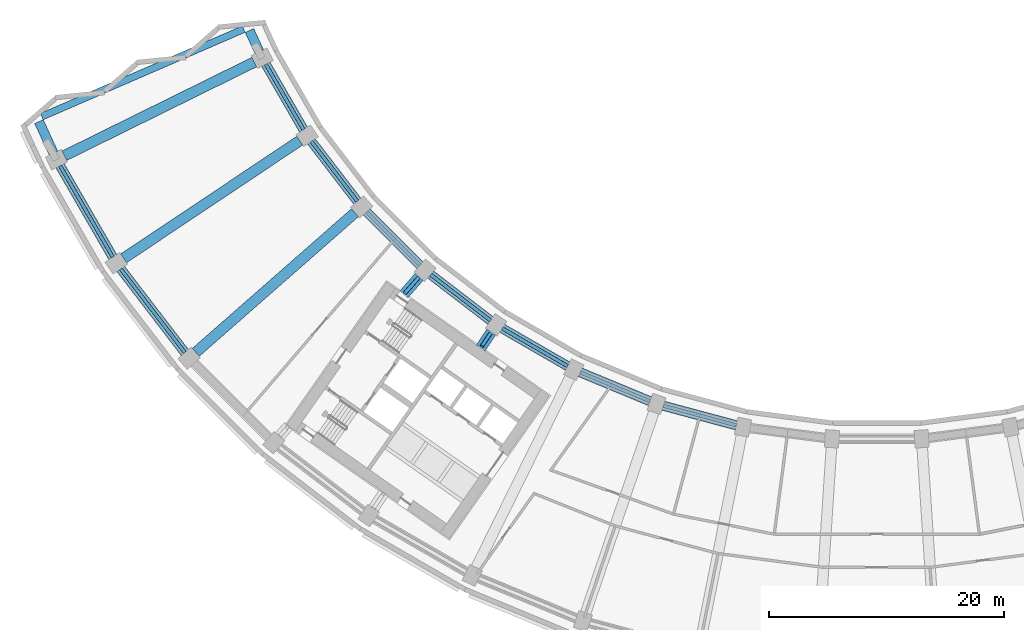
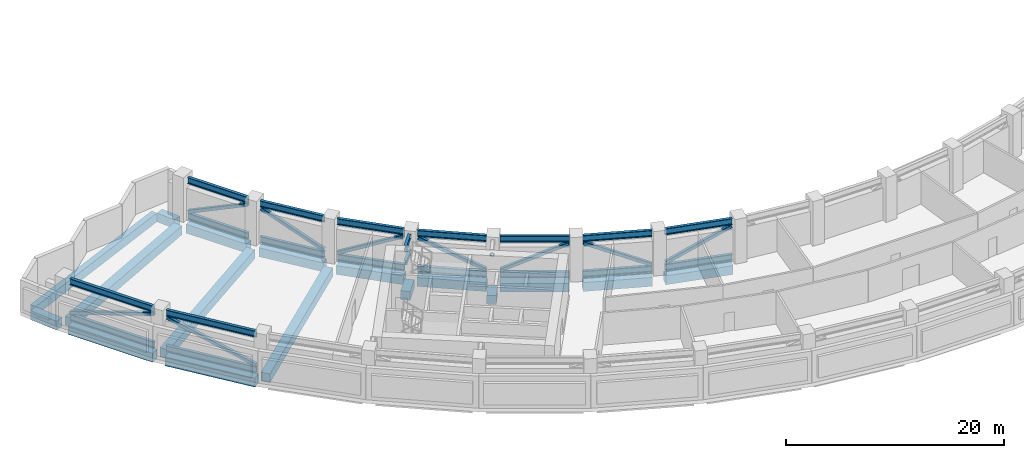
# One storey, part 2 of 25: 31 members, 17 beams.
"""IFC4 building model written with IfcOpenShell, lengths in metres."""

from ifc_helpers import new_model, si_unit, direction, frame, origin, origin_2d, place, context, subcontext, project, spatial, rectangle, hollow_rectangle, hollow_circle, i_section, extrude, material, material_profile, profile_set, type_object, element, save


model = new_model("IFC4")

# Units and contexts
model_context = context("Model", 3, precision=1e-05, world=origin(), true_north=direction((0.0, 1.0)))
body_context = subcontext(model_context, "Body", "Model", "MODEL_VIEW")
ifc_project = project(units=[si_unit("LENGTHUNIT", "METRE"), si_unit("AREAUNIT", "SQUARE_METRE"), si_unit("VOLUMEUNIT", "CUBIC_METRE"), si_unit("PLANEANGLEUNIT", "RADIAN"), si_unit("MASSUNIT", "GRAM", prefix="KILO")], contexts=[model_context])

# Site, building, storey
site_placement = place(None, origin())
site = spatial("IfcSite", under=ifc_project, at=site_placement, CompositionType="ELEMENT")
building_placement = place(site_placement, origin())
building = spatial("IfcBuilding", under=site, at=building_placement, Name="Qamariyya Broadcast Tower", CompositionType="ELEMENT")
storey_placement = place(building_placement, frame((0.0, 0.0, 144.300048828125)))
storey = spatial("IfcBuildingStorey", under=building, at=storey_placement, Name="L33", CompositionType="ELEMENT", Elevation=144.300048828125)

# Members
ifc_material_1 = material(Name="Steel S355", Category="steel")
ifc_material_profile_1 = material_profile(ifc_material_1, i_section(OverallWidth=0.300048828125, OverallDepth=0.699951171875, WebThickness=0.01708984375, FlangeThickness=0.031982421875, FilletRadius=0.027099609375, at=origin_2d()))
ifc_profile_set_1 = profile_set([ifc_material_profile_1], Name="Steel S355")
member_type_1 = type_object("IfcMemberType", Name="Belt truss bottom chord HEB 700", PredefinedType="CHORD", material=ifc_profile_set_1)
for number, where, z_axis, x_axis, name in (
    (1, (-51.942138671875, -26.283935546875, 0.349853515625), (0.49999360328, -0.866029096901, 0.0), (0.866029096901, 0.49999360328, 0.0), "Belt truss bottom chord T12 L33 B-R02"),
    (2, (-48.067138671875, -32.839111328125, 0.349853515625), (0.608778135192, -0.793340520906, 0.0), (0.793340520906, 0.608778135192, 0.0), "Belt truss bottom chord T12 L33 B-R03"),
):
    element("IfcMember", number, at=place(storey_placement, frame(where, z_axis=z_axis, x_axis=x_axis)), inside=storey, type_object=member_type_1, Name=name, PredefinedType="CHORD", context=body_context, shape_type="SweptSolid", body=[
        extrude(i_section(OverallWidth=0.300048828125, OverallDepth=0.699951171875, WebThickness=0.01708984375, FlangeThickness=0.031982421875, FilletRadius=0.027099609375, at=origin_2d()), origin(), (0.0, 0.0, 1.0), 6.4169921875),
    ])
member_1_placement = place(storey_placement, frame((-43.369384765625, -38.83203125, 0.349853515625), z_axis=(0.707106781187, -0.707106781187, 0.0), x_axis=(0.707106781187, 0.707106781187, 0.0)))
element("IfcMember", 3, at=member_1_placement, inside=storey, type_object=member_type_1, Name="Belt truss bottom chord T12 L33 B-R04", PredefinedType="CHORD", context=body_context, shape_type="SweptSolid", body=[
    extrude(i_section(OverallWidth=0.300048828125, OverallDepth=0.699951171875, WebThickness=0.01708984375, FlangeThickness=0.031982421875, FilletRadius=0.027099609375, at=origin_2d()), origin(), (0.0, 0.0, 1.0), 6.416748046875),
])
for number, where, z_axis, x_axis, name in (
    (4, (-37.929931640625, -44.16064453125, 0.349853515625), (0.793340520906, -0.608778135192, 0.0), (0.608778135192, 0.793340520906, 0.0), "Belt truss bottom chord T12 L33 B-R05"),
    (5, (-31.84130859375, -48.733642578125, 0.349853515625), (0.866029096901, -0.49999360328, 0.0), (0.49999360328, 0.866029096901, 0.0), "Belt truss bottom chord T12 L33 B-R06"),
    (6, (-25.207763671875, -52.472900390625, 0.349853515625), (0.923884212686, -0.382672133229, 0.0), (0.382672133229, 0.923884212686, 0.0), "Belt truss bottom chord T12 L33 B-R07"),
    (7, (-18.14306640625, -55.314208984375, 0.349853515625), (0.965922916603, -0.258829903956, 0.0), (0.258829903956, 0.965922916603, 0.0), "Belt truss bottom chord T12 L33 B-R08"),
):
    element("IfcMember", number, at=place(storey_placement, frame(where, z_axis=z_axis, x_axis=x_axis)), inside=storey, type_object=member_type_1, Name=name, PredefinedType="CHORD", context=body_context, shape_type="SweptSolid", body=[
        extrude(i_section(OverallWidth=0.300048828125, OverallDepth=0.699951171875, WebThickness=0.01708984375, FlangeThickness=0.031982421875, FilletRadius=0.027099609375, at=origin_2d()), origin(), (0.0, 0.0, 1.0), 6.4169921875),
    ])
member_2_placement = place(storey_placement, frame((-69.43115234375, -34.90869140625, 0.349853515625), z_axis=(0.499989544228, -0.866031440343, 0.0), x_axis=(0.866031440343, 0.499989544228, 0.0)))
element("IfcMember", 8, at=member_2_placement, inside=storey, type_object=member_type_1, Name="Belt truss bottom chord T12 L33 C-R02", PredefinedType="CHORD", context=body_context, shape_type="SweptSolid", body=[
    extrude(i_section(OverallWidth=0.300048828125, OverallDepth=0.699951171875, WebThickness=0.01708984375, FlangeThickness=0.031982421875, FilletRadius=0.027099609375, at=origin_2d()), origin(), (0.0, 0.0, 1.0), 8.967529296875),
])
member_3_placement = place(storey_placement, frame((-64.28076171875, -43.672607421875, 0.349853515625), z_axis=(0.608766985019, -0.793349076984, 0.0), x_axis=(0.793349076984, 0.608766985019, 0.0)))
element("IfcMember", 9, at=member_3_placement, inside=storey, type_object=member_type_1, Name="Belt truss bottom chord T12 L33 C-R03", PredefinedType="CHORD", context=body_context, shape_type="SweptSolid", body=[
    extrude(i_section(OverallWidth=0.300048828125, OverallDepth=0.699951171875, WebThickness=0.01708984375, FlangeThickness=0.031982421875, FilletRadius=0.027099609375, at=origin_2d()), origin(), (0.0, 0.0, 1.0), 8.9677734375),
])
ifc_material_profile_2 = material_profile(ifc_material_1, hollow_rectangle(XDim=0.35009765625, YDim=0.35009765625, WallThickness=0.01416015625, InnerFilletRadius=0.01416015625, OuterFilletRadius=0.0283203125, at=origin_2d()))
ifc_profile_set_2 = profile_set([ifc_material_profile_2], Name="Steel S355")
member_type_2 = type_object("IfcMemberType", Name="Belt truss diagonal RHS 350x350x14.2", PredefinedType="BRACE", material=ifc_profile_set_2)
for number, where, z_axis, x_axis, name in (
    (10, (-51.903564453125, -26.35107421875, 0.85791015625), (0.451365148286, -0.781803150411, 0.430178261793), (0.866029773987, 0.499992430511, 0.0), "Belt truss diagonal T13 L33 B-R02"),
    (11, (-48.02001953125, -32.900390625, 3.842041015625), (0.549554038522, -0.716197546201, -0.430176049495), (0.793355302324, 0.608758872029, 0.0), "Belt truss diagonal T13 L33 B-R03"),
    (12, (-43.31494140625, -38.88671875, 0.85791015625), (0.63833922066, -0.63833922066, 0.430169825457), (0.707106781187, 0.707106781187, 0.0), "Belt truss diagonal T13 L33 B-R04"),
    (13, (-37.86865234375, -44.207763671875, 3.842041015625), (0.716197546201, -0.549554038522, -0.430176049495), (0.608758872029, 0.793355302324, 0.0), "Belt truss diagonal T13 L33 B-R05"),
    (14, (-31.7744140625, -48.7724609375, 0.85791015625), (0.781803150411, -0.451365148286, 0.430178261793), (0.499992430511, 0.866029773987, 0.0), "Belt truss diagonal T13 L33 B-R06"),
    (15, (-25.136474609375, -52.50244140625, 3.842041015625), (0.834027860001, -0.345464489567, -0.430176493071), (0.382682334211, 0.923879987381, 0.0), "Belt truss diagonal T13 L33 B-R07"),
    (16, (-18.068359375, -55.334228515625, 0.85791015625), (0.871979197049, -0.233656356523, 0.430182504259), (0.258829623139, 0.965922991851, 0.0), "Belt truss diagonal T13 L33 B-R08"),
):
    element("IfcMember", number, at=place(storey_placement, frame(where, z_axis=z_axis, x_axis=x_axis)), inside=storey, type_object=member_type_2, Name=name, PredefinedType="BRACE", context=body_context, shape_type="SweptSolid", body=[
        extrude(hollow_rectangle(XDim=0.35009765625, YDim=0.35009765625, WallThickness=0.01416015625, InnerFilletRadius=0.01416015625, OuterFilletRadius=0.0283203125, at=origin_2d()), origin(), (0.0, 0.0, 1.0), 6.93701171875),
    ])
for number, where, z_axis, x_axis, name in (
    (17, (-69.40234375, -34.95849609375, 0.865966796875), (0.474045618469, -0.821114265054, 0.317886953705), (0.866036786182, 0.49998028459, 0.0), "Belt truss diagonal T13 L33 C-R02"),
    (18, (-64.24560546875, -43.71826171875, 3.833984375), (0.577172941316, -0.752210121091, -0.317885717736), (0.793362603486, 0.608749356789, 0.0), "Belt truss diagonal T13 L33 C-R03"),
):
    element("IfcMember", number, at=place(storey_placement, frame(where, z_axis=z_axis, x_axis=x_axis)), inside=storey, type_object=member_type_2, Name=name, PredefinedType="BRACE", context=body_context, shape_type="SweptSolid", body=[
        extrude(hollow_rectangle(XDim=0.35009765625, YDim=0.35009765625, WallThickness=0.01416015625, InnerFilletRadius=0.01416015625, OuterFilletRadius=0.0283203125, at=origin_2d()), origin(), (0.0, 0.0, 1.0), 9.336669921875),
    ])
ifc_material_profile_3 = material_profile(ifc_material_1, i_section(OverallWidth=0.300048828125, OverallDepth=0.699951171875, WebThickness=0.01708984375, FlangeThickness=0.031982421875, FilletRadius=0.027099609375, at=origin_2d()))
ifc_profile_set_3 = profile_set([ifc_material_profile_3], Name="Steel S355")
member_type_3 = type_object("IfcMemberType", Name="Belt truss top chord HEB 700", PredefinedType="CHORD", material=ifc_profile_set_3)
for number, where, z_axis, x_axis, name in (
    (19, (-51.942138671875, -26.283935546875, 4.349853515625), (0.49999360328, -0.866029096901, 0.0), (0.866029096901, 0.49999360328, 0.0), "Belt truss top chord T11 L33 B-R02"),
    (20, (-48.067138671875, -32.839111328125, 4.349853515625), (0.608778135192, -0.793340520906, 0.0), (0.793340520906, 0.608778135192, 0.0), "Belt truss top chord T11 L33 B-R03"),
):
    element("IfcMember", number, at=place(storey_placement, frame(where, z_axis=z_axis, x_axis=x_axis)), inside=storey, type_object=member_type_3, Name=name, PredefinedType="CHORD", context=body_context, shape_type="SweptSolid", body=[
        extrude(i_section(OverallWidth=0.300048828125, OverallDepth=0.699951171875, WebThickness=0.01708984375, FlangeThickness=0.031982421875, FilletRadius=0.027099609375, at=origin_2d()), origin(), (0.0, 0.0, 1.0), 6.4169921875),
    ])
member_4_placement = place(storey_placement, frame((-43.369384765625, -38.83203125, 4.349853515625), z_axis=(0.707106781187, -0.707106781187, 0.0), x_axis=(0.707106781187, 0.707106781187, 0.0)))
element("IfcMember", 21, at=member_4_placement, inside=storey, type_object=member_type_3, Name="Belt truss top chord T11 L33 B-R04", PredefinedType="CHORD", context=body_context, shape_type="SweptSolid", body=[
    extrude(i_section(OverallWidth=0.300048828125, OverallDepth=0.699951171875, WebThickness=0.01708984375, FlangeThickness=0.031982421875, FilletRadius=0.027099609375, at=origin_2d()), origin(), (0.0, 0.0, 1.0), 6.416748046875),
])
for number, where, z_axis, x_axis, name in (
    (22, (-37.929931640625, -44.16064453125, 4.349853515625), (0.793340520906, -0.608778135192, 0.0), (0.608778135192, 0.793340520906, 0.0), "Belt truss top chord T11 L33 B-R05"),
    (23, (-31.84130859375, -48.733642578125, 4.349853515625), (0.866029096901, -0.49999360328, 0.0), (0.49999360328, 0.866029096901, 0.0), "Belt truss top chord T11 L33 B-R06"),
    (24, (-25.207763671875, -52.472900390625, 4.349853515625), (0.923884212686, -0.382672133229, 0.0), (0.382672133229, 0.923884212686, 0.0), "Belt truss top chord T11 L33 B-R07"),
    (25, (-18.14306640625, -55.314208984375, 4.349853515625), (0.965922916603, -0.258829903956, 0.0), (0.258829903956, 0.965922916603, 0.0), "Belt truss top chord T11 L33 B-R08"),
):
    element("IfcMember", number, at=place(storey_placement, frame(where, z_axis=z_axis, x_axis=x_axis)), inside=storey, type_object=member_type_3, Name=name, PredefinedType="CHORD", context=body_context, shape_type="SweptSolid", body=[
        extrude(i_section(OverallWidth=0.300048828125, OverallDepth=0.699951171875, WebThickness=0.01708984375, FlangeThickness=0.031982421875, FilletRadius=0.027099609375, at=origin_2d()), origin(), (0.0, 0.0, 1.0), 6.4169921875),
    ])
member_5_placement = place(storey_placement, frame((-69.43115234375, -34.90869140625, 4.349853515625), z_axis=(0.499989544228, -0.866031440343, 0.0), x_axis=(0.866031440343, 0.499989544228, 0.0)))
element("IfcMember", 26, at=member_5_placement, inside=storey, type_object=member_type_3, Name="Belt truss top chord T11 L33 C-R02", PredefinedType="CHORD", context=body_context, shape_type="SweptSolid", body=[
    extrude(i_section(OverallWidth=0.300048828125, OverallDepth=0.699951171875, WebThickness=0.01708984375, FlangeThickness=0.031982421875, FilletRadius=0.027099609375, at=origin_2d()), origin(), (0.0, 0.0, 1.0), 8.967529296875),
])
member_6_placement = place(storey_placement, frame((-64.28076171875, -43.672607421875, 4.349853515625), z_axis=(0.608766985019, -0.793349076984, 0.0), x_axis=(0.793349076984, 0.608766985019, 0.0)))
element("IfcMember", 27, at=member_6_placement, inside=storey, type_object=member_type_3, Name="Belt truss top chord T11 L33 C-R03", PredefinedType="CHORD", context=body_context, shape_type="SweptSolid", body=[
    extrude(i_section(OverallWidth=0.300048828125, OverallDepth=0.699951171875, WebThickness=0.01708984375, FlangeThickness=0.031982421875, FilletRadius=0.027099609375, at=origin_2d()), origin(), (0.0, 0.0, 1.0), 8.9677734375),
])
ifc_material_profile_4 = material_profile(ifc_material_1, i_section(OverallWidth=0.300048828125, OverallDepth=0.489990234375, WebThickness=0.011962890625, FlangeThickness=0.02294921875, FilletRadius=0.027099609375, at=origin_2d()))
ifc_profile_set_4 = profile_set([ifc_material_profile_4], Name="Steel S355")
member_type_4 = type_object("IfcMemberType", Name="Outrigger truss bottom chord HEA 500", PredefinedType="CHORD", material=ifc_profile_set_4)
member_7_placement = place(storey_placement, frame((-38.91455078125, -44.37353515625, 2.744873046875), z_axis=(-0.659333197342, -0.751850872769, 0.0), x_axis=(0.751850872769, -0.659333197342, 0.0)))
element("IfcMember", 28, at=member_7_placement, inside=storey, type_object=member_type_4, Name="Outrigger truss bottom chord T9 L33 R05", PredefinedType="CHORD", context=body_context, shape_type="SweptSolid", body=[
    extrude(i_section(OverallWidth=0.300048828125, OverallDepth=0.489990234375, WebThickness=0.011962890625, FlangeThickness=0.02294921875, FilletRadius=0.027099609375, at=origin_2d()), origin(), (0.0, 0.0, 1.0), 1.897216796875),
])
ifc_material_profile_5 = material_profile(ifc_material_1, hollow_circle(Radius=0.161865234375, WallThickness=0.012451171875, at=origin_2d()))
ifc_profile_set_5 = profile_set([ifc_material_profile_5], Name="Steel S355")
member_type_5 = type_object("IfcMemberType", Name="Outrigger truss diagonal CHS 323.9x12.5", PredefinedType="BRACE", material=ifc_profile_set_5)
member_8_placement = place(storey_placement, frame((-38.966552734375, -44.4326171875, 3.132568359375), z_axis=(-0.580784538514, -0.662358872504, 0.473254734618), x_axis=(0.751889664657, -0.659288959549, 0.0)))
element("IfcMember", 29, at=member_8_placement, inside=storey, type_object=member_type_5, Name="Outrigger truss diagonal T17 L33 R05", PredefinedType="BRACE", context=body_context, shape_type="SweptSolid", body=[
    extrude(hollow_circle(Radius=0.161865234375, WallThickness=0.012451171875, at=origin_2d()), origin(), (0.0, 0.0, 1.0), 1.975341796875),
])
member_9_placement = place(storey_placement, frame((-32.842529296875, -49.15234375, 3.12255859375), z_axis=(-0.454606184712, -0.6803659971, 0.574835043132), x_axis=(0.831469522269, -0.555570367764, 0.0)))
element("IfcMember", 30, at=member_9_placement, inside=storey, type_object=member_type_5, Name="Outrigger truss diagonal T17 L33 R06", PredefinedType="BRACE", context=body_context, shape_type="SweptSolid", body=[
    extrude(hollow_circle(Radius=0.161865234375, WallThickness=0.012451171875, at=origin_2d()), origin(), (0.0, 0.0, 1.0), 1.6611328125),
])
ifc_material_profile_6 = material_profile(ifc_material_1, i_section(OverallWidth=0.300048828125, OverallDepth=0.489990234375, WebThickness=0.011962890625, FlangeThickness=0.02294921875, FilletRadius=0.027099609375, at=origin_2d()))
ifc_profile_set_6 = profile_set([ifc_material_profile_6], Name="Steel S355")
member_type_6 = type_object("IfcMemberType", Name="Outrigger truss top chord HEA 500", PredefinedType="CHORD", material=ifc_profile_set_6)
member_10_placement = place(storey_placement, frame((-38.91455078125, -44.37353515625, 4.454833984375), z_axis=(-0.659333197342, -0.751850872769, 0.0), x_axis=(0.751850872769, -0.659333197342, 0.0)))
element("IfcMember", 31, at=member_10_placement, inside=storey, type_object=member_type_6, Name="Outrigger truss top chord T8 L33 R05", PredefinedType="CHORD", context=body_context, shape_type="SweptSolid", body=[
    extrude(i_section(OverallWidth=0.300048828125, OverallDepth=0.489990234375, WebThickness=0.011962890625, FlangeThickness=0.02294921875, FilletRadius=0.027099609375, at=origin_2d()), origin(), (0.0, 0.0, 1.0), 1.897216796875),
])

# Beams
ifc_material_2 = material(Name="Concrete C50/60", Category="concrete")
ifc_material_profile_7 = material_profile(ifc_material_2, rectangle(XDim=0.800048828125, YDim=1.0, at=origin_2d()))
ifc_profile_set_7 = profile_set([ifc_material_profile_7], Name="Concrete C50/60")
beam_type_1 = type_object("IfcBeamType", Name="RC edge beam 800 x 1000 C50/60", PredefinedType="SPANDREL", material=ifc_profile_set_7)
for number, where, z_axis, x_axis, name in (
    (32, (-51.942138671875, -26.283935546875, -0.900146484375), (0.49999360328, -0.866029096901, 0.0), (0.866029096901, 0.49999360328, 0.0), "Edge beam B10 L33 B R02-R03"),
    (33, (-48.067138671875, -32.839111328125, -0.900146484375), (0.608778135192, -0.793340520906, 0.0), (0.793340520906, 0.608778135192, 0.0), "Edge beam B10 L33 B R03-R04"),
):
    element("IfcBeam", number, at=place(storey_placement, frame(where, z_axis=z_axis, x_axis=x_axis)), inside=storey, type_object=beam_type_1, Name=name, PredefinedType="SPANDREL", context=body_context, shape_type="SweptSolid", body=[
        extrude(rectangle(XDim=0.800048828125, YDim=1.0, at=origin_2d()), origin(), (0.0, 0.0, 1.0), 6.4169921875),
    ])
beam_1_placement = place(storey_placement, frame((-43.369384765625, -38.83203125, -0.900146484375), z_axis=(0.707106781187, -0.707106781187, 0.0), x_axis=(0.707106781187, 0.707106781187, 0.0)))
element("IfcBeam", 34, at=beam_1_placement, inside=storey, type_object=beam_type_1, Name="Edge beam B10 L33 B R04-R05", PredefinedType="SPANDREL", context=body_context, shape_type="SweptSolid", body=[
    extrude(rectangle(XDim=0.800048828125, YDim=1.0, at=origin_2d()), origin(), (0.0, 0.0, 1.0), 6.416748046875),
])
for number, where, z_axis, x_axis, name in (
    (35, (-37.929931640625, -44.16064453125, -0.900146484375), (0.793340520906, -0.608778135192, 0.0), (0.608778135192, 0.793340520906, 0.0), "Edge beam B10 L33 B R05-R06"),
    (36, (-31.84130859375, -48.733642578125, -0.900146484375), (0.866029096901, -0.49999360328, 0.0), (0.49999360328, 0.866029096901, 0.0), "Edge beam B10 L33 B R06-R07"),
    (37, (-25.207763671875, -52.472900390625, -0.900146484375), (0.923884212686, -0.382672133229, 0.0), (0.382672133229, 0.923884212686, 0.0), "Edge beam B10 L33 B R07-R08"),
    (38, (-18.14306640625, -55.314208984375, -0.900146484375), (0.965922916603, -0.258829903956, 0.0), (0.258829903956, 0.965922916603, 0.0), "Edge beam B10 L33 B R08-R09"),
):
    element("IfcBeam", number, at=place(storey_placement, frame(where, z_axis=z_axis, x_axis=x_axis)), inside=storey, type_object=beam_type_1, Name=name, PredefinedType="SPANDREL", context=body_context, shape_type="SweptSolid", body=[
        extrude(rectangle(XDim=0.800048828125, YDim=1.0, at=origin_2d()), origin(), (0.0, 0.0, 1.0), 6.4169921875),
    ])
beam_2_placement = place(storey_placement, frame((-69.43115234375, -34.90869140625, -0.900146484375), z_axis=(0.499989544228, -0.866031440343, 0.0), x_axis=(0.866031440343, 0.499989544228, 0.0)))
element("IfcBeam", 39, at=beam_2_placement, inside=storey, type_object=beam_type_1, Name="Edge beam B10 L33 C R02-R03", PredefinedType="SPANDREL", context=body_context, shape_type="SweptSolid", body=[
    extrude(rectangle(XDim=0.800048828125, YDim=1.0, at=origin_2d()), origin(), (0.0, 0.0, 1.0), 8.967529296875),
])
beam_3_placement = place(storey_placement, frame((-64.28076171875, -43.672607421875, -0.900146484375), z_axis=(0.608766985019, -0.793349076984, 0.0), x_axis=(0.793349076984, 0.608766985019, 0.0)))
element("IfcBeam", 40, at=beam_3_placement, inside=storey, type_object=beam_type_1, Name="Edge beam B10 L33 C R03-R04", PredefinedType="SPANDREL", context=body_context, shape_type="SweptSolid", body=[
    extrude(rectangle(XDim=0.800048828125, YDim=1.0, at=origin_2d()), origin(), (0.0, 0.0, 1.0), 8.9677734375),
])
ifc_material_profile_8 = material_profile(ifc_material_2, rectangle(XDim=0.800048828125, YDim=1.0, at=origin_2d()))
ifc_profile_set_8 = profile_set([ifc_material_profile_8], Name="Concrete C50/60")
beam_type_2 = type_object("IfcBeamType", Name="RC horn beam 800 x 1000 C50/60", PredefinedType="BEAM", material=ifc_profile_set_8)
beam_4_placement = place(storey_placement, frame((-52.494873046875, -25.218505859375, -0.900146484375), z_axis=(-0.419867209004, 0.907585547926, 0.0), x_axis=(-0.907585547926, -0.419867209004, 0.0)))
element("IfcBeam", 41, at=beam_4_placement, inside=storey, type_object=beam_type_2, Name="Horn beam B11 L33 W B-R02", PredefinedType="BEAM", context=body_context, shape_type="SweptSolid", body=[
    extrude(rectangle(XDim=0.800048828125, YDim=1.0, at=origin_2d()), origin(), (0.0, 0.0, 1.0), 1.98974609375),
])
beam_5_placement = place(storey_placement, frame((-69.98388671875, -33.84326171875, -0.900146484375), z_axis=(-0.41986421212, 0.907586934338, 0.0), x_axis=(-0.907586934338, -0.41986421212, 0.0)))
element("IfcBeam", 42, at=beam_5_placement, inside=storey, type_object=beam_type_2, Name="Horn beam B11 L33 W C-R02", PredefinedType="BEAM", context=body_context, shape_type="SweptSolid", body=[
    extrude(rectangle(XDim=0.800048828125, YDim=1.0, at=origin_2d()), origin(), (0.0, 0.0, 1.0), 2.957275390625),
])
ifc_material_profile_9 = material_profile(ifc_material_2, rectangle(XDim=0.60009765625, YDim=1.0, at=origin_2d()))
ifc_profile_set_9 = profile_set([ifc_material_profile_9], Name="Concrete C50/60")
beam_type_3 = type_object("IfcBeamType", Name="RC horn cap beam 600 x 1000 C50/60", PredefinedType="BEAM", material=ifc_profile_set_9)
beam_6_placement = place(storey_placement, frame((-53.823486328125, -23.29931640625, -0.900146484375), z_axis=(-0.917707341004, -0.397257141241, 0.0), x_axis=(0.397257141241, -0.917707341004, 0.0)))
element("IfcBeam", 43, at=beam_6_placement, inside=storey, type_object=beam_type_3, Name="Horn cap beam B12 L33 W B-C", PredefinedType="BEAM", context=body_context, shape_type="SweptSolid", body=[
    extrude(rectangle(XDim=0.60009765625, YDim=1.0, at=origin_2d()), origin(), (0.0, 0.0, 1.0), 18.699951171875),
])
ifc_material_profile_10 = material_profile(ifc_material_2, rectangle(XDim=0.89990234375, YDim=1.0, at=origin_2d()))
ifc_profile_set_10 = profile_set([ifc_material_profile_10], Name="Concrete C50/60")
beam_type_4 = type_object("IfcBeamType", Name="RC radial beam 900 x 1000 C50/60", PredefinedType="BEAM", material=ifc_profile_set_10)
beam_7_placement = place(storey_placement, frame((-52.91552734375, -26.094970703125, -0.900146484375), z_axis=(-0.896871386501, -0.442291437941, 0.0), x_axis=(0.442291437941, -0.896871386501, 0.0)))
element("IfcBeam", 44, at=beam_7_placement, inside=storey, type_object=beam_type_4, Name="Radial beam B9 L33 R02 B-C", PredefinedType="BEAM", context=body_context, shape_type="SweptSolid", body=[
    extrude(rectangle(XDim=0.89990234375, YDim=1.0, at=origin_2d()), origin(), (0.0, 0.0, 1.0), 17.999755859375),
])
beam_8_placement = place(storey_placement, frame((-49.056640625, -32.778564453125, -0.900146484375), z_axis=(-0.831471836778, -0.555566903843, 0.0), x_axis=(0.555566903843, -0.831471836778, 0.0)))
element("IfcBeam", 45, at=beam_8_placement, inside=storey, type_object=beam_type_4, Name="Radial beam B9 L33 R03 B-C", PredefinedType="BEAM", context=body_context, shape_type="SweptSolid", body=[
    extrude(rectangle(XDim=0.89990234375, YDim=1.0, at=origin_2d()), origin(), (0.0, 0.0, 1.0), 18.0),
])
beam_9_placement = place(storey_placement, frame((-44.358642578125, -38.9013671875, -0.900146484375), z_axis=(-0.751837671483, -0.659348250729, 0.0), x_axis=(0.659348250729, -0.751837671483, 0.0)))
element("IfcBeam", 46, at=beam_9_placement, inside=storey, type_object=beam_type_4, Name="Radial beam B9 L33 R04 B-C", PredefinedType="BEAM", context=body_context, shape_type="SweptSolid", body=[
    extrude(rectangle(XDim=0.89990234375, YDim=1.0, at=origin_2d()), origin(), (0.0, 0.0, 1.0), 17.999755859375),
])
beam_10_placement = place(storey_placement, frame((-38.9013671875, -44.358642578125, -0.900146484375), z_axis=(-0.659376140982, -0.751813211312, 0.0), x_axis=(0.751813211312, -0.659376140982, 0.0)))
element("IfcBeam", 47, at=beam_10_placement, inside=storey, type_object=beam_type_4, Name="Radial beam B9 L33 R05 B-C", PredefinedType="BEAM", context=body_context, shape_type="SweptSolid", body=[
    extrude(rectangle(XDim=0.89990234375, YDim=1.0, at=origin_2d()), origin(), (0.0, 0.0, 1.0), 1.96240234375),
])
beam_11_placement = place(storey_placement, frame((-32.778564453125, -49.056640625, -0.900146484375), z_axis=(-0.555537373717, -0.831491567248, 0.0), x_axis=(0.831491567248, -0.555537373717, 0.0)))
element("IfcBeam", 48, at=beam_11_placement, inside=storey, type_object=beam_type_4, Name="Radial beam B9 L33 R06 B-C", PredefinedType="BEAM", context=body_context, shape_type="SweptSolid", body=[
    extrude(rectangle(XDim=0.89990234375, YDim=1.0, at=origin_2d()), origin(), (0.0, 0.0, 1.0), 1.614501953125),
])

save(model, "model.ifc")
